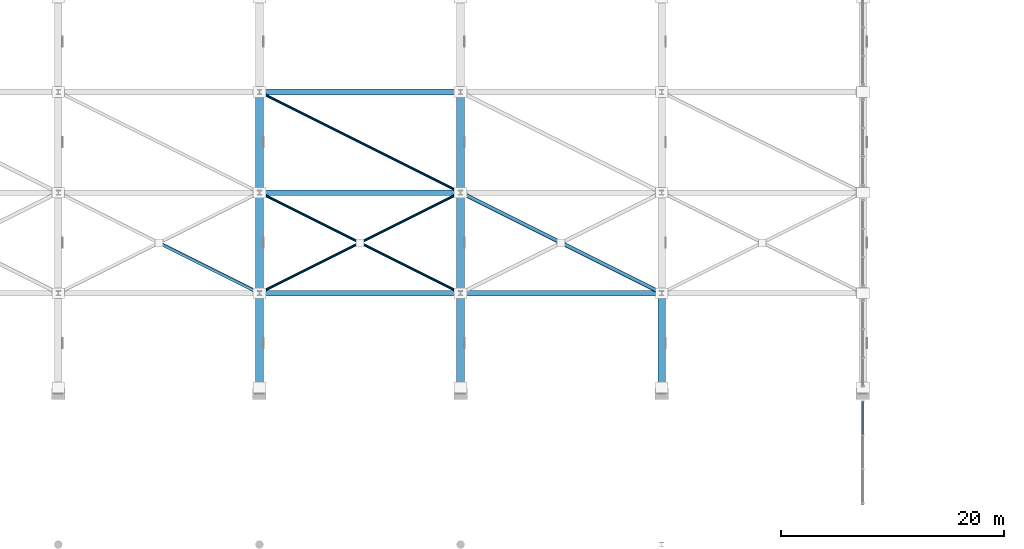
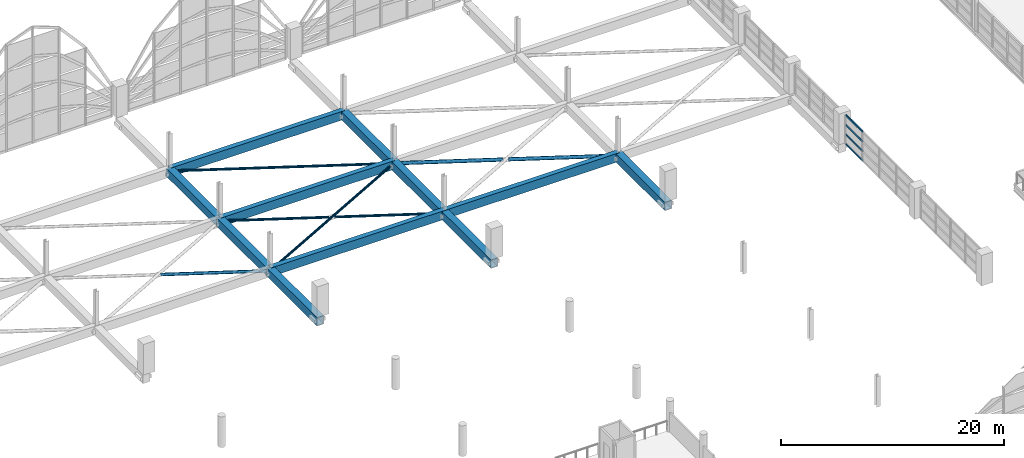
# One storey, part 46 of 116: 11 beams, 11 members, 1 element without a shape of its own.
"""IFC4 building model written with IfcOpenShell, lengths in metres."""

import ifcopenshell
import ifcopenshell.guid

model = None  # the IFC model being written
_history = None  # IfcOwnerHistory: only IFC2X3 demands one
_inside = {}  # id of a spatial element -> (the spatial element, [elements in it])
_under = {}  # id of a project, library or spatial element -> (it, [spatial elements below it])
_declared = {}  # id of a project -> (the project, [libraries it declares])
_typed = {}  # id of a type object -> (the type object, [elements of that type])
_made_of = {}  # id of a material, layer set ... -> (it, [elements and type objects made of it])


def new_model(schema):
    """Start an empty IFC model of exactly this schema.

    Asked for "IFC4X3", IfcOpenShell would pick the latest addendum, in which some entities
    have other attributes; the version numbers below select the first issue.
    IFC2X3 requires an IfcOwnerHistory on every rooted entity: one is made here for all.
    """
    global model, _history
    if schema == "IFC4X3":
        model = ifcopenshell.file(schema_version=(4, 3, 0, 0))
    else:
        model = ifcopenshell.file(schema=schema)
    _inside.clear()
    _under.clear()
    _declared.clear()
    _typed.clear()
    _made_of.clear()
    _history = None
    if model.schema == "IFC2X3":
        org = make("IfcOrganization", Name="unknown")
        user = make(
            "IfcPersonAndOrganization",
            ThePerson=make("IfcPerson", FamilyName="unknown"),
            TheOrganization=org,
        )
        app = make(
            "IfcApplication",
            ApplicationDeveloper=org,
            Version="unknown",
            ApplicationFullName="unknown",
            ApplicationIdentifier="unknown",
        )
        _history = make(
            "IfcOwnerHistory",
            OwningUser=user,
            OwningApplication=app,
            ChangeAction="ADDED",
            CreationDate=0,
        )
    return model


def make(cls, **values):
    """One entity of the class cls with the attributes given. An attribute that is None is left unset."""
    return model.create_entity(
        cls, **{name: value for name, value in values.items() if value is not None}
    )


def rooted(cls, **values):
    """An entity with a GlobalId (a new one), such as an element, a storey or a relation."""
    return make(cls, GlobalId=ifcopenshell.guid.new(), OwnerHistory=_history, **values)


def si_unit(unit_type, name, prefix=None):
    """IfcSIUnit, for example si_unit("LENGTHUNIT", "METRE", prefix="MILLI")."""
    return make("IfcSIUnit", UnitType=unit_type, Prefix=prefix, Name=name)


def assignment(units):
    """IfcUnitAssignment: the units of a project."""
    return None if units is None else make("IfcUnitAssignment", Units=units)


def point(xyz):
    """IfcCartesianPoint."""
    return None if xyz is None else make("IfcCartesianPoint", Coordinates=xyz)


def direction(xyz):
    """IfcDirection."""
    return None if xyz is None else make("IfcDirection", DirectionRatios=xyz)


def frame(location, z_axis=None, x_axis=None):
    """IfcAxis2Placement3D, a coordinate frame: its origin and axes. An axis left out is left unset."""
    return make(
        "IfcAxis2Placement3D",
        Location=point(location),
        Axis=direction(z_axis),
        RefDirection=direction(x_axis),
    )


def frame_2d(location, x_axis=None):
    """IfcAxis2Placement2D, a coordinate frame in the plane: its origin and x axis."""
    return make(
        "IfcAxis2Placement2D", Location=point(location), RefDirection=direction(x_axis)
    )


def origin():
    """The frame at (0, 0, 0) with its axes left unset."""
    return frame((0.0, 0.0, 0.0))


def origin_2d():
    """The frame at (0, 0) in the plane with its x axis left unset."""
    return frame_2d((0.0, 0.0))


def place(relative_to, where):
    """IfcLocalPlacement: puts the frame where relative to a parent placement (None: the world)."""
    return make(
        "IfcLocalPlacement", PlacementRelTo=relative_to, RelativePlacement=where
    )


def context(
    kind, dimensions, precision=None, world=None, true_north=None, identifier=None
):
    """IfcGeometricRepresentationContext, for example the 3D "Model" context."""
    return make(
        "IfcGeometricRepresentationContext",
        ContextIdentifier=identifier,
        ContextType=kind,
        CoordinateSpaceDimension=dimensions,
        Precision=precision,
        WorldCoordinateSystem=world,
        TrueNorth=true_north,
    )


def subcontext(parent, identifier, kind, view, scale=None):
    """IfcGeometricRepresentationSubContext, for example "Body" below "Model"."""
    return make(
        "IfcGeometricRepresentationSubContext",
        ContextIdentifier=identifier,
        ContextType=kind,
        ParentContext=parent,
        TargetScale=scale,
        TargetView=view,
    )


def project(units=None, contexts=None):
    """IfcProject with its units and contexts."""
    return rooted(
        "IfcProject",
        Name="project",
        RepresentationContexts=contexts,
        UnitsInContext=assignment(units),
    )


def spatial(cls, under=None, at=None, **own):
    """A site, building, storey or space (cls), placed at a placement, below another one or the project."""
    s = rooted(cls, ObjectPlacement=at, **own)
    if under is not None:
        _under.setdefault(under.id(), (under, []))[1].append(s)
    return s


def profile(cls, at=None, kind="AREA", **sizes):
    """A parametric profile (cls). Its sizes go by their IFC names, for example OverallWidth=200.0."""
    return make(cls, ProfileType=kind, Position=at, **sizes)


def hollow_rectangle(**sizes):
    """IfcRectangleHollowProfileDef."""
    return profile("IfcRectangleHollowProfileDef", **sizes)


def hollow_circle(**sizes):
    """IfcCircleHollowProfileDef."""
    return profile("IfcCircleHollowProfileDef", **sizes)


def extrude(swept, where, along, depth):
    """IfcExtrudedAreaSolid: the profile swept, set in the frame where, extruded along a direction by depth."""
    return make(
        "IfcExtrudedAreaSolid",
        SweptArea=swept,
        Position=where,
        ExtrudedDirection=direction(along),
        Depth=depth,
    )


def shape(context_of_items, identifier, shape_type, items):
    """IfcShapeRepresentation: the items that make up one representation, for example the "Body"."""
    return make(
        "IfcShapeRepresentation",
        ContextOfItems=context_of_items,
        RepresentationIdentifier=identifier,
        RepresentationType=shape_type,
        Items=items,
    )


def material(Name=None, Category=None):
    """IfcMaterial."""
    return make("IfcMaterial", Name=Name, Category=Category)


def material_profile(
    of_material, cross_section, Name=None, Category=None, Priority=None
):
    """IfcMaterialProfile: a cross section and its material."""
    return make(
        "IfcMaterialProfile",
        Name=Name,
        Material=of_material,
        Profile=cross_section,
        Priority=Priority,
        Category=Category,
    )


def profile_set(profiles, Name=None, composite=None):
    """IfcMaterialProfileSet."""
    return make(
        "IfcMaterialProfileSet",
        Name=Name,
        MaterialProfiles=profiles,
        CompositeProfile=composite,
    )


def made_of(thing, what):
    """Note that an element or type object is made of a material, layer set ...; save() writes the relation."""
    if what is not None:
        _made_of.setdefault(what.id(), (what, []))[1].append(thing)
    return thing


def type_object(cls, material=None, **own):
    """A type object (cls), such as IfcWallType, which elements share."""
    return made_of(rooted(cls, **own), material)


def element(
    cls,
    number,
    at=None,
    inside=None,
    cuts=None,
    type_object=None,
    material=None,
    context=None,
    identifier="Body",
    shape_type=None,
    held_by="IfcProductDefinitionShape",
    body=None,
    shapes=None,
    **own,
):
    """One element of the class cls, such as IfcWall. Its Tag is "e" and its number.

    at: its placement. inside: the storey or other place that contains it. cuts: it is an
    opening in that element (IfcRelVoidsElement). A single representation is given by context,
    identifier, shape_type and body (its items); several are given by shapes. held_by: the class
    of the entity that holds the representations. save() writes the other relations.
    """
    e = rooted(cls, Tag="e%d" % number, ObjectPlacement=at, **own)
    if body is not None:
        shapes = [shape(context, identifier, shape_type, body)]
    if shapes is not None:
        e.Representation = make(held_by, Representations=shapes)
    if inside is not None:
        _inside.setdefault(inside.id(), (inside, []))[1].append(e)
    if cuts is not None:
        rooted(
            "IfcRelVoidsElement", RelatingBuildingElement=cuts, RelatedOpeningElement=e
        )
    if type_object is not None:
        _typed.setdefault(type_object.id(), (type_object, []))[1].append(e)
    return made_of(e, material)


def aggregate(whole, parts):
    """IfcRelAggregates: a whole, such as a stair, and the parts it consists of."""
    return rooted("IfcRelAggregates", RelatingObject=whole, RelatedObjects=parts)


def save(model, path):
    """Write the relations noted so far, then the file.

    IfcRelAggregates (storeys below a building ...), IfcRelContainedInSpatialStructure (elements
    in a storey), IfcRelDefinesByType, IfcRelAssociatesMaterial and IfcRelDeclares: one each for
    every whole, place, type object, material and project.
    """
    for whole, parts in _under.values():
        aggregate(whole, parts)
    for where, things in _inside.values():
        rooted(
            "IfcRelContainedInSpatialStructure",
            RelatedElements=things,
            RelatingStructure=where,
        )
    for kind, things in _typed.values():
        rooted("IfcRelDefinesByType", RelatedObjects=things, RelatingType=kind)
    for what, things in _made_of.values():
        rooted("IfcRelAssociatesMaterial", RelatedObjects=things, RelatingMaterial=what)
    for by, libraries in _declared.values():
        rooted("IfcRelDeclares", RelatingContext=by, RelatedDefinitions=libraries)
    model.write(path)


model = new_model("IFC4")

# Units and contexts
model_context = context("Model", 3, precision=1e-05, world=origin(), true_north=direction((0.0, 1.0)))
body_context = subcontext(model_context, "Body", "Model", "MODEL_VIEW")
ifc_project = project(units=[si_unit("LENGTHUNIT", "METRE"), si_unit("AREAUNIT", "SQUARE_METRE"), si_unit("VOLUMEUNIT", "CUBIC_METRE"), si_unit("PLANEANGLEUNIT", "RADIAN"), si_unit("MASSUNIT", "GRAM", prefix="KILO")], contexts=[model_context])

# Site, building, storey
site_placement = place(None, origin())
site = spatial("IfcSite", under=ifc_project, at=site_placement, CompositionType="ELEMENT")
building_placement = place(site_placement, origin())
building = spatial("IfcBuilding", under=site, at=building_placement, Name="Chuanluo Vaults Station", CompositionType="ELEMENT")
storey_placement = place(building_placement, frame((0.0, 0.0, 10.800048828125)))
storey = spatial("IfcBuildingStorey", under=building, at=storey_placement, Name="L02", CompositionType="ELEMENT", Elevation=10.800048828125)

# Beams
ifc_material_1 = material(Name="Steel Q390C", Category="steel")
ifc_material_profile_1 = material_profile(ifc_material_1, hollow_rectangle(XDim=0.5, YDim=0.949951171875, WallThickness=0.028076171875, at=origin_2d()))
ifc_profile_set_1 = profile_set([ifc_material_profile_1], Name="Steel Q390C")
beam_type_1 = type_object("IfcBeamType", Name="BM-TT-TIE", PredefinedType="USERDEFINED", material=ifc_profile_set_1)
for number, where, z_axis, x_axis, name in (
    (1, (72.0, 76.5, -0.85009765625), (1.0, 0.0, 0.0), (0.0, 1.0, 0.0), "Transfer truss top tie girder 5-76"),
    (2, (72.0, 85.5, -0.85009765625), (1.0, 0.0, 0.0), (0.0, 1.0, 0.0), "Transfer truss top tie girder 5-85"),
    (3, (72.0, 94.5, -0.85009765625), (1.0, 0.0, 0.0), (0.0, 1.0, 0.0), "Transfer truss top tie girder 5-94"),
    (4, (90.0, 76.5, -0.85009765625), (1.0, 0.0, 0.0), (0.0, 1.0, 0.0), "Transfer truss top tie girder 6-76"),
):
    element("IfcBeam", number, at=place(storey_placement, frame(where, z_axis=z_axis, x_axis=x_axis)), inside=storey, type_object=beam_type_1, Name=name, ObjectType="GIRDER", PredefinedType="USERDEFINED", context=body_context, shape_type="SweptSolid", body=[
        extrude(hollow_rectangle(XDim=0.5, YDim=0.949951171875, WallThickness=0.028076171875, at=origin_2d()), origin(), (0.0, 0.0, 1.0), 18.0),
    ])
ifc_material_2 = material(Name="Steel Q390C", Category="steel")
ifc_material_profile_2 = material_profile(ifc_material_2, hollow_rectangle(XDim=0.699951171875, YDim=0.89990234375, WallThickness=0.035888671875, at=origin_2d()))
ifc_profile_set_2 = profile_set([ifc_material_profile_2], Name="Steel Q390C")
beam_type_2 = type_object("IfcBeamType", Name="BM-TT-TOP", PredefinedType="USERDEFINED", material=ifc_profile_set_2)
for number, where, z_axis, x_axis, name in (
    (5, (72.0, 67.5, -0.85009765625), (0.0, 1.0, 0.0), (-1.0, 0.0, 0.0), "Transfer truss TT-5 top chord 1"),
    (6, (72.0, 76.5, -0.85009765625), (0.0, 1.0, 0.0), (-1.0, 0.0, 0.0), "Transfer truss TT-5 top chord 2"),
    (7, (72.0, 85.5, -0.85009765625), (0.0, 1.0, 0.0), (-1.0, 0.0, 0.0), "Transfer truss TT-5 top chord 3"),
    (8, (90.0, 67.5, -0.85009765625), (0.0, 1.0, 0.0), (-1.0, 0.0, 0.0), "Transfer truss TT-6 top chord 1"),
    (9, (90.0, 76.5, -0.85009765625), (0.0, 1.0, 0.0), (-1.0, 0.0, 0.0), "Transfer truss TT-6 top chord 2"),
    (10, (90.0, 85.5, -0.85009765625), (0.0, 1.0, 0.0), (-1.0, 0.0, 0.0), "Transfer truss TT-6 top chord 3"),
    (11, (108.0, 67.5, -0.85009765625), (0.0, 1.0, 0.0), (-1.0, 0.0, 0.0), "Transfer truss TT-7 top chord 1"),
):
    element("IfcBeam", number, at=place(storey_placement, frame(where, z_axis=z_axis, x_axis=x_axis)), inside=storey, type_object=beam_type_2, Name=name, ObjectType="GIRDER", PredefinedType="USERDEFINED", context=body_context, shape_type="SweptSolid", body=[
        extrude(hollow_rectangle(XDim=0.699951171875, YDim=0.89990234375, WallThickness=0.035888671875, at=origin_2d()), origin(), (0.0, 0.0, 1.0), 9.0),
    ])

# Curtain wall, members
ifc_material_3 = material(Name="Anodised aluminium 6063-T6", Category="aluminium")
curtain_wall_type = type_object("IfcCurtainWallType", Name="CW-SYS-12", PredefinedType="NOTDEFINED", material=ifc_material_3)
curtain_wall_placement = place(storey_placement, origin())
curtain_wall = element("IfcCurtainWall", 12, at=curtain_wall_placement, inside=storey, type_object=curtain_wall_type, Name="Train shed east clerestory CW 54", PredefinedType="NOTDEFINED")
ifc_material_4 = material(Name="Anodised aluminium 6063-T6", Category="aluminium")
ifc_material_profile_3 = material_profile(ifc_material_4, hollow_rectangle(XDim=0.10498046875, YDim=0.18505859375, WallThickness=0.0048828125, at=origin_2d()))
ifc_profile_set_3 = profile_set([ifc_material_profile_3], Name="Anodised aluminium 6063-T6")
member_type_1 = type_object("IfcMemberType", Name="CWT-110", PredefinedType="USERDEFINED", material=ifc_profile_set_3)
member_1_placement = place(storey_placement, frame((126.0, 66.824951171875, 0.0), z_axis=(0.0, -1.0, 0.0), x_axis=(1.0, 0.0, 0.0)))
member_1 = element("IfcMember", 13, at=member_1_placement, type_object=member_type_1, Name="Train shed east clerestory CW 54 transom 1.1", ObjectType="TRANSOM", PredefinedType="USERDEFINED", context=body_context, shape_type="SweptSolid", body=[
    extrude(hollow_rectangle(XDim=0.10498046875, YDim=0.18505859375, WallThickness=0.0048828125, at=origin_2d()), origin(), (0.0, 0.0, 1.0), 3.037353515625),
])
member_2_placement = place(storey_placement, frame((126.0, 66.824951171875, 1.050048828125), z_axis=(0.0, -1.0, 0.0), x_axis=(1.0, 0.0, 0.0)))
member_2 = element("IfcMember", 14, at=member_2_placement, type_object=member_type_1, Name="Train shed east clerestory CW 54 transom 1.2", ObjectType="TRANSOM", PredefinedType="USERDEFINED", context=body_context, shape_type="SweptSolid", body=[
    extrude(hollow_rectangle(XDim=0.10498046875, YDim=0.18505859375, WallThickness=0.0048828125, at=origin_2d()), origin(), (0.0, 0.0, 1.0), 3.037353515625),
])
member_3_placement = place(storey_placement, frame((126.0, 66.824951171875, 2.099853515625), z_axis=(0.0, -1.0, 0.0), x_axis=(1.0, 0.0, 0.0)))
member_3 = element("IfcMember", 15, at=member_3_placement, type_object=member_type_1, Name="Train shed east clerestory CW 54 transom 1.3", ObjectType="TRANSOM", PredefinedType="USERDEFINED", context=body_context, shape_type="SweptSolid", body=[
    extrude(hollow_rectangle(XDim=0.10498046875, YDim=0.18505859375, WallThickness=0.0048828125, at=origin_2d()), origin(), (0.0, 0.0, 1.0), 3.037353515625),
])
member_4_placement = place(storey_placement, frame((126.0, 66.824951171875, 3.14990234375), z_axis=(0.0, -1.0, 0.0), x_axis=(1.0, 0.0, 0.0)))
member_4 = element("IfcMember", 16, at=member_4_placement, type_object=member_type_1, Name="Train shed east clerestory CW 54 transom 1.4", ObjectType="TRANSOM", PredefinedType="USERDEFINED", context=body_context, shape_type="SweptSolid", body=[
    extrude(hollow_rectangle(XDim=0.10498046875, YDim=0.18505859375, WallThickness=0.0048828125, at=origin_2d()), origin(), (0.0, 0.0, 1.0), 3.037353515625),
])
aggregate(curtain_wall, [member_1, member_2, member_3, member_4])

# Members
ifc_material_5 = material(Name="Steel Q355C", Category="steel")
ifc_material_profile_4 = material_profile(ifc_material_5, hollow_circle(Radius=0.12255859375, WallThickness=0.010009765625, at=origin_2d()))
ifc_profile_set_4 = profile_set([ifc_material_profile_4], Name="Steel Q355C")
member_type_2 = type_object("IfcMemberType", Name="MEM-CHS-245", PredefinedType="BRACE", material=ifc_profile_set_4)
member_5_placement = place(storey_placement, frame((72.0, 76.5, -0.85009765625), z_axis=(0.894427191, 0.4472135955, 0.0), x_axis=(-0.4472135955, 0.894427191, 0.0)))
element("IfcMember", 17, at=member_5_placement, inside=storey, type_object=member_type_2, Name="Over-track diaphragm brace 5-76", PredefinedType="BRACE", context=body_context, shape_type="SweptSolid", body=[
    extrude(hollow_circle(Radius=0.12255859375, WallThickness=0.010009765625, at=origin_2d()), origin(), (0.0, 0.0, 1.0), 20.12451171875),
])
for number, where, z_axis, x_axis, name in (
    (18, (72.0, 85.5, -0.85009765625), (0.894432165125, -0.447203647112, 0.0), (0.447203647112, 0.894432165125, 0.0), "Over-track diaphragm split X-brace 5-85A"),
    (19, (81.219970703125, 80.889892578125, -0.85009765625), (0.894432165125, -0.447203647112, 0.0), (0.447203647112, 0.894432165125, 0.0), "Over-track diaphragm split X-brace 5-85B"),
):
    element("IfcMember", number, at=place(storey_placement, frame(where, z_axis=z_axis, x_axis=x_axis)), inside=storey, type_object=member_type_2, Name=name, PredefinedType="BRACE", context=body_context, shape_type="SweptSolid", body=[
        extrude(hollow_circle(Radius=0.12255859375, WallThickness=0.010009765625, at=origin_2d()), origin(), (0.0, 0.0, 1.0), 9.81640625),
    ])
member_6_placement = place(storey_placement, frame((72.0, 94.5, -0.85009765625), z_axis=(0.894427191, -0.4472135955, 0.0), x_axis=(0.4472135955, 0.894427191, 0.0)))
element("IfcMember", 20, at=member_6_placement, inside=storey, type_object=member_type_2, Name="Over-track diaphragm brace 5-94", PredefinedType="BRACE", context=body_context, shape_type="SweptSolid", body=[
    extrude(hollow_circle(Radius=0.12255859375, WallThickness=0.010009765625, at=origin_2d()), origin(), (0.0, 0.0, 1.0), 20.12451171875),
])
ifc_material_6 = material(Name="Steel Q355C", Category="steel")
ifc_material_profile_5 = material_profile(ifc_material_6, hollow_circle(Radius=0.1494140625, WallThickness=0.011962890625, at=origin_2d()))
ifc_profile_set_5 = profile_set([ifc_material_profile_5], Name="Steel Q355C")
member_type_3 = type_object("IfcMemberType", Name="MEM-CHS-299", PredefinedType="BRACE", material=ifc_profile_set_5)
member_7_placement = place(storey_placement, frame((63.219970703125, 80.889892578125, -0.85009765625), z_axis=(0.894432165125, -0.447203647112, 0.0), x_axis=(0.447203647112, 0.894432165125, 0.0)))
element("IfcMember", 21, at=member_7_placement, inside=storey, type_object=member_type_3, Name="Over-track diaphragm split X-brace 4-85B", PredefinedType="BRACE", context=body_context, shape_type="SweptSolid", body=[
    extrude(hollow_circle(Radius=0.1494140625, WallThickness=0.011962890625, at=origin_2d()), origin(), (0.0, 0.0, 1.0), 9.81640625),
])
ifc_material_7 = material(Name="Steel Q355C", Category="steel")
ifc_material_profile_6 = material_profile(ifc_material_7, hollow_circle(Radius=0.177978515625, WallThickness=0.013916015625, at=origin_2d()))
ifc_profile_set_6 = profile_set([ifc_material_profile_6], Name="Steel Q355C")
member_type_4 = type_object("IfcMemberType", Name="MEM-CHS-356", PredefinedType="BRACE", material=ifc_profile_set_6)
for number, where, z_axis, x_axis, name in (
    (22, (90.0, 85.5, -0.85009765625), (0.894432165125, -0.447203647112, 0.0), (0.447203647112, 0.894432165125, 0.0), "Over-track diaphragm split X-brace 6-85A"),
    (23, (99.219970703125, 80.889892578125, -0.85009765625), (0.894432165125, -0.447203647112, 0.0), (0.447203647112, 0.894432165125, 0.0), "Over-track diaphragm split X-brace 6-85B"),
):
    element("IfcMember", number, at=place(storey_placement, frame(where, z_axis=z_axis, x_axis=x_axis)), inside=storey, type_object=member_type_4, Name=name, PredefinedType="BRACE", context=body_context, shape_type="SweptSolid", body=[
        extrude(hollow_circle(Radius=0.177978515625, WallThickness=0.013916015625, at=origin_2d()), origin(), (0.0, 0.0, 1.0), 9.81640625),
    ])

save(model, "model.ifc")
